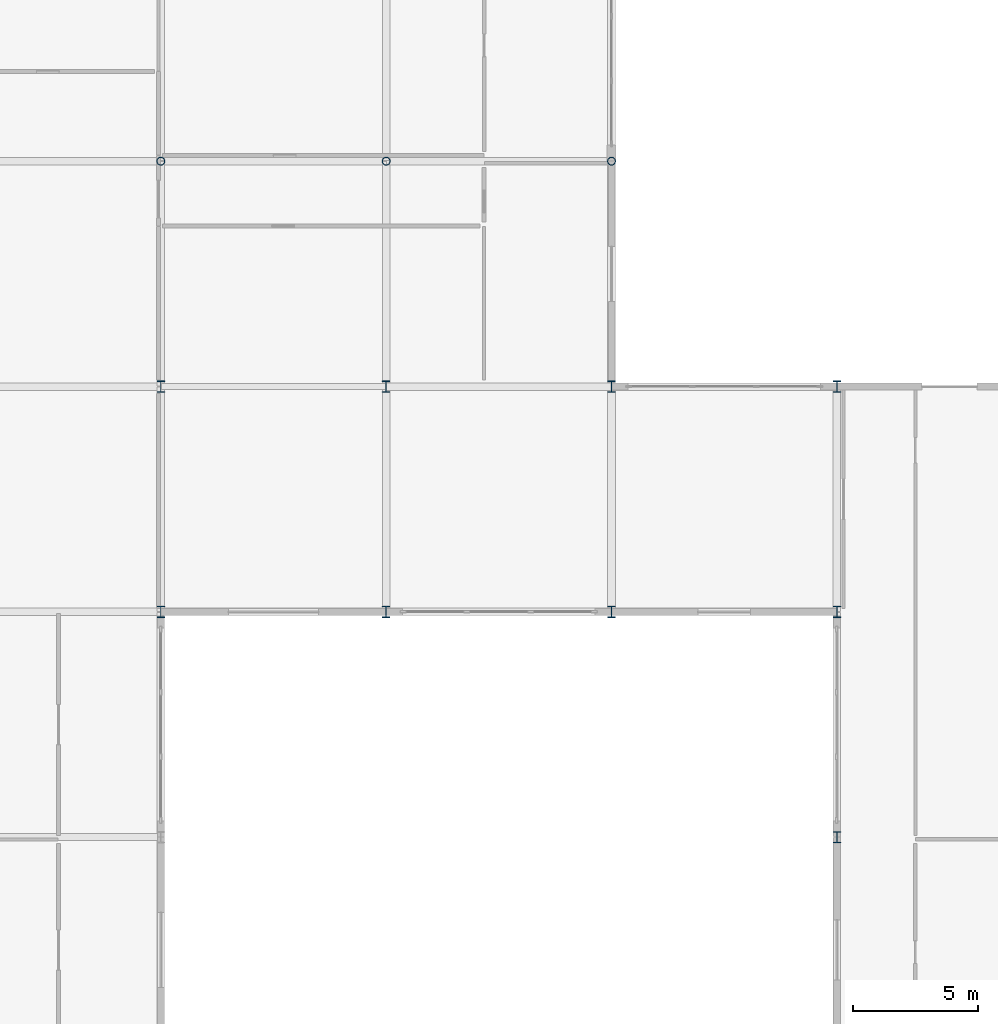
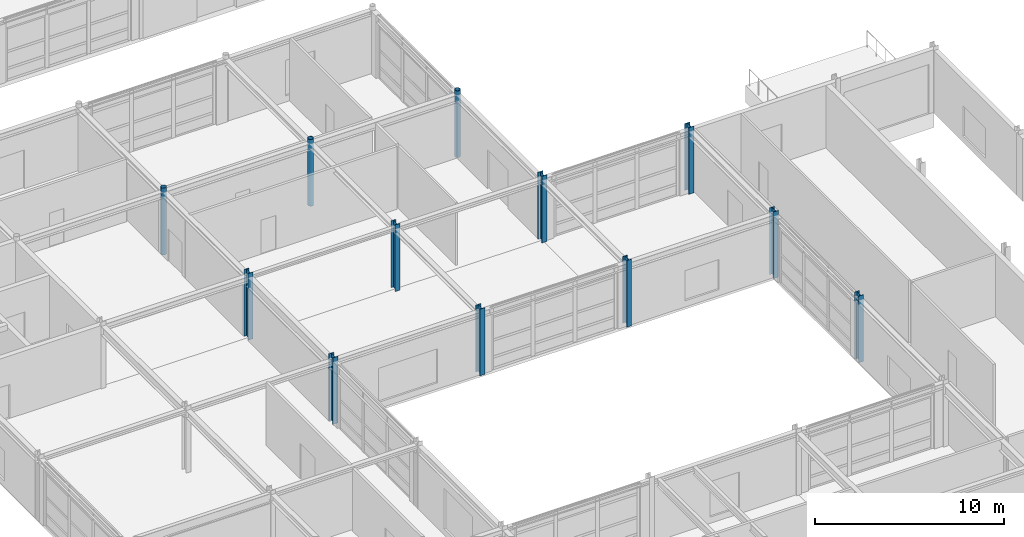
# One storey, part 16 of 72: 12 columns.
"""IFC4 building model written with IfcOpenShell, lengths in metres."""

from ifc_helpers import new_model, si_unit, direction, frame, origin, origin_2d, place, context, subcontext, project, spatial, hollow_circle, i_section, extrude, material, material_profile, profile_set, type_object, element, save


model = new_model("IFC4")

# Units and contexts
model_context = context("Model", 3, precision=1e-05, world=origin(), true_north=direction((0.0, 1.0)))
body_context = subcontext(model_context, "Body", "Model", "MODEL_VIEW")
ifc_project = project(units=[si_unit("LENGTHUNIT", "METRE"), si_unit("AREAUNIT", "SQUARE_METRE"), si_unit("VOLUMEUNIT", "CUBIC_METRE"), si_unit("PLANEANGLEUNIT", "RADIAN"), si_unit("MASSUNIT", "GRAM", prefix="KILO")], contexts=[model_context])

# Site, building, storey
site_placement = place(None, origin())
site = spatial("IfcSite", under=ifc_project, at=site_placement, CompositionType="ELEMENT")
building_placement = place(site_placement, origin())
building = spatial("IfcBuilding", under=site, at=building_placement, Name="Palais des Congres Ocreval", CompositionType="ELEMENT")
storey_placement = place(building_placement, origin())
storey = spatial("IfcBuildingStorey", under=building, at=storey_placement, Name="L00", CompositionType="ELEMENT", Elevation=0.0)

# Columns
ifc_material = material(Name="Steel S355", Category="steel")
ifc_material_profile_1 = material_profile(ifc_material, hollow_circle(Radius=0.161865234375, WallThickness=0.01611328125, at=origin_2d()), Name="CHS 323.9x16")
ifc_profile_set_1 = profile_set([ifc_material_profile_1], Name="Steel S355")
column_type_1 = type_object("IfcColumnType", Name="Column CHS 323.9x16 Steel S355", PredefinedType="COLUMN", material=ifc_profile_set_1)
for number, where, z_axis, x_axis, name in (
    (1, (126.0, 54.0, 0.0), (0.0, 0.0, 1.0), (1.0, 0.0, 0.0), "Column C16 L00"),
    (2, (135.0, 54.0, 0.0), (0.0, 0.0, 1.0), (1.0, 0.0, 0.0), "Column C16 L00"),
    (3, (144.0, 54.0, 0.0), (0.0, 0.0, 1.0), (1.0, 0.0, 0.0), "Column C16 L00"),
):
    element("IfcColumn", number, at=place(storey_placement, frame(where, z_axis=z_axis, x_axis=x_axis)), inside=storey, type_object=column_type_1, Name=name, PredefinedType="COLUMN", context=body_context, shape_type="SweptSolid", body=[
        extrude(hollow_circle(Radius=0.161865234375, WallThickness=0.01611328125, at=origin_2d()), origin(), (0.0, 0.0, 1.0), 4.320068359375),
    ])
ifc_material_profile_2 = material_profile(ifc_material, i_section(OverallWidth=0.300048828125, OverallDepth=0.449951171875, WebThickness=0.013916015625, FlangeThickness=0.02587890625, at=origin_2d()), Name="HEB 450")
ifc_profile_set_2 = profile_set([ifc_material_profile_2], Name="Steel S355")
column_type_2 = type_object("IfcColumnType", Name="Column HEB 450 Steel S355", PredefinedType="COLUMN", material=ifc_profile_set_2)
for number, where, z_axis, x_axis, name in (
    (4, (126.0, 36.0, 0.0), (0.0, 0.0, 1.0), (1.0, 0.0, 0.0), "Column C09 L00"),
    (5, (126.0, 45.0, 0.0), (0.0, 0.0, 1.0), (1.0, 0.0, 0.0), "Column C09 L00"),
    (6, (135.0, 36.0, 0.0), (0.0, 0.0, 1.0), (1.0, 0.0, 0.0), "Column C09 L00"),
    (7, (135.0, 45.0, 0.0), (0.0, 0.0, 1.0), (1.0, 0.0, 0.0), "Column C09 L00"),
    (8, (144.0, 36.0, 0.0), (0.0, 0.0, 1.0), (1.0, 0.0, 0.0), "Column C09 L00"),
    (9, (144.0, 45.0, 0.0), (0.0, 0.0, 1.0), (1.0, 0.0, 0.0), "Column C09 L00"),
    (10, (153.0, 27.0, 0.0), (0.0, 0.0, 1.0), (1.0, 0.0, 0.0), "Column C09 L00"),
    (11, (153.0, 36.0, 0.0), (0.0, 0.0, 1.0), (1.0, 0.0, 0.0), "Column C09 L00"),
    (12, (153.0, 45.0, 0.0), (0.0, 0.0, 1.0), (1.0, 0.0, 0.0), "Column C09 L00"),
):
    element("IfcColumn", number, at=place(storey_placement, frame(where, z_axis=z_axis, x_axis=x_axis)), inside=storey, type_object=column_type_2, Name=name, PredefinedType="COLUMN", context=body_context, shape_type="SweptSolid", body=[
        extrude(i_section(OverallWidth=0.300048828125, OverallDepth=0.449951171875, WebThickness=0.013916015625, FlangeThickness=0.02587890625, at=origin_2d()), origin(), (0.0, 0.0, 1.0), 4.320068359375),
    ])

save(model, "model.ifc")
